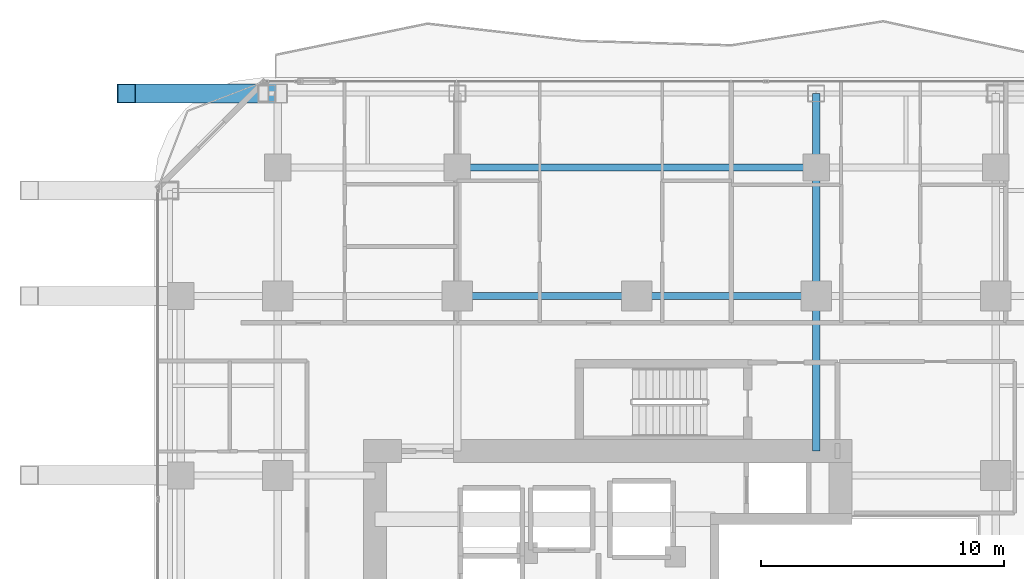
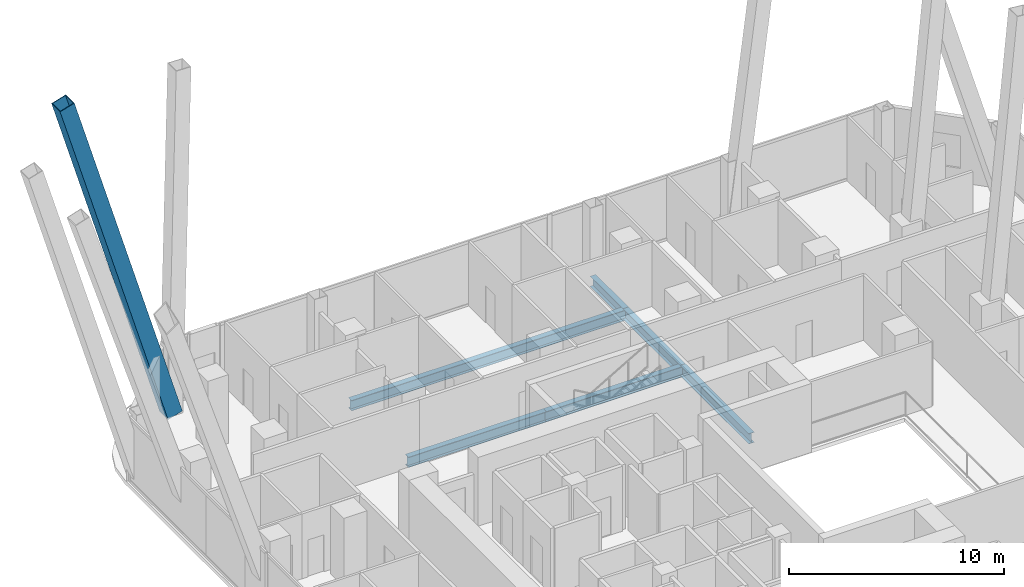
# One storey, part 16 of 32: 6 beams, 1 member.
"""IFC4 building model written with IfcOpenShell, lengths in metres."""

import ifcopenshell
import ifcopenshell.guid

model = None  # the IFC model being written
_history = None  # IfcOwnerHistory: only IFC2X3 demands one
_inside = {}  # id of a spatial element -> (the spatial element, [elements in it])
_under = {}  # id of a project, library or spatial element -> (it, [spatial elements below it])
_declared = {}  # id of a project -> (the project, [libraries it declares])
_typed = {}  # id of a type object -> (the type object, [elements of that type])
_made_of = {}  # id of a material, layer set ... -> (it, [elements and type objects made of it])


def new_model(schema):
    """Start an empty IFC model of exactly this schema.

    Asked for "IFC4X3", IfcOpenShell would pick the latest addendum, in which some entities
    have other attributes; the version numbers below select the first issue.
    IFC2X3 requires an IfcOwnerHistory on every rooted entity: one is made here for all.
    """
    global model, _history
    if schema == "IFC4X3":
        model = ifcopenshell.file(schema_version=(4, 3, 0, 0))
    else:
        model = ifcopenshell.file(schema=schema)
    _inside.clear()
    _under.clear()
    _declared.clear()
    _typed.clear()
    _made_of.clear()
    _history = None
    if model.schema == "IFC2X3":
        org = make("IfcOrganization", Name="unknown")
        user = make(
            "IfcPersonAndOrganization",
            ThePerson=make("IfcPerson", FamilyName="unknown"),
            TheOrganization=org,
        )
        app = make(
            "IfcApplication",
            ApplicationDeveloper=org,
            Version="unknown",
            ApplicationFullName="unknown",
            ApplicationIdentifier="unknown",
        )
        _history = make(
            "IfcOwnerHistory",
            OwningUser=user,
            OwningApplication=app,
            ChangeAction="ADDED",
            CreationDate=0,
        )
    return model


def make(cls, **values):
    """One entity of the class cls with the attributes given. An attribute that is None is left unset."""
    return model.create_entity(
        cls, **{name: value for name, value in values.items() if value is not None}
    )


def rooted(cls, **values):
    """An entity with a GlobalId (a new one), such as an element, a storey or a relation."""
    return make(cls, GlobalId=ifcopenshell.guid.new(), OwnerHistory=_history, **values)


def si_unit(unit_type, name, prefix=None):
    """IfcSIUnit, for example si_unit("LENGTHUNIT", "METRE", prefix="MILLI")."""
    return make("IfcSIUnit", UnitType=unit_type, Prefix=prefix, Name=name)


def assignment(units):
    """IfcUnitAssignment: the units of a project."""
    return None if units is None else make("IfcUnitAssignment", Units=units)


def point(xyz):
    """IfcCartesianPoint."""
    return None if xyz is None else make("IfcCartesianPoint", Coordinates=xyz)


def direction(xyz):
    """IfcDirection."""
    return None if xyz is None else make("IfcDirection", DirectionRatios=xyz)


def frame(location, z_axis=None, x_axis=None):
    """IfcAxis2Placement3D, a coordinate frame: its origin and axes. An axis left out is left unset."""
    return make(
        "IfcAxis2Placement3D",
        Location=point(location),
        Axis=direction(z_axis),
        RefDirection=direction(x_axis),
    )


def frame_2d(location, x_axis=None):
    """IfcAxis2Placement2D, a coordinate frame in the plane: its origin and x axis."""
    return make(
        "IfcAxis2Placement2D", Location=point(location), RefDirection=direction(x_axis)
    )


def origin():
    """The frame at (0, 0, 0) with its axes left unset."""
    return frame((0.0, 0.0, 0.0))


def origin_2d():
    """The frame at (0, 0) in the plane with its x axis left unset."""
    return frame_2d((0.0, 0.0))


def place(relative_to, where):
    """IfcLocalPlacement: puts the frame where relative to a parent placement (None: the world)."""
    return make(
        "IfcLocalPlacement", PlacementRelTo=relative_to, RelativePlacement=where
    )


def context(
    kind, dimensions, precision=None, world=None, true_north=None, identifier=None
):
    """IfcGeometricRepresentationContext, for example the 3D "Model" context."""
    return make(
        "IfcGeometricRepresentationContext",
        ContextIdentifier=identifier,
        ContextType=kind,
        CoordinateSpaceDimension=dimensions,
        Precision=precision,
        WorldCoordinateSystem=world,
        TrueNorth=true_north,
    )


def subcontext(parent, identifier, kind, view, scale=None):
    """IfcGeometricRepresentationSubContext, for example "Body" below "Model"."""
    return make(
        "IfcGeometricRepresentationSubContext",
        ContextIdentifier=identifier,
        ContextType=kind,
        ParentContext=parent,
        TargetScale=scale,
        TargetView=view,
    )


def project(units=None, contexts=None):
    """IfcProject with its units and contexts."""
    return rooted(
        "IfcProject",
        Name="project",
        RepresentationContexts=contexts,
        UnitsInContext=assignment(units),
    )


def spatial(cls, under=None, at=None, **own):
    """A site, building, storey or space (cls), placed at a placement, below another one or the project."""
    s = rooted(cls, ObjectPlacement=at, **own)
    if under is not None:
        _under.setdefault(under.id(), (under, []))[1].append(s)
    return s


def profile(cls, at=None, kind="AREA", **sizes):
    """A parametric profile (cls). Its sizes go by their IFC names, for example OverallWidth=200.0."""
    return make(cls, ProfileType=kind, Position=at, **sizes)


def hollow_rectangle(**sizes):
    """IfcRectangleHollowProfileDef."""
    return profile("IfcRectangleHollowProfileDef", **sizes)


def i_section(**sizes):
    """IfcIShapeProfileDef."""
    return profile("IfcIShapeProfileDef", **sizes)


def extrude(swept, where, along, depth):
    """IfcExtrudedAreaSolid: the profile swept, set in the frame where, extruded along a direction by depth."""
    return make(
        "IfcExtrudedAreaSolid",
        SweptArea=swept,
        Position=where,
        ExtrudedDirection=direction(along),
        Depth=depth,
    )


def shape(context_of_items, identifier, shape_type, items):
    """IfcShapeRepresentation: the items that make up one representation, for example the "Body"."""
    return make(
        "IfcShapeRepresentation",
        ContextOfItems=context_of_items,
        RepresentationIdentifier=identifier,
        RepresentationType=shape_type,
        Items=items,
    )


def material(Name=None, Category=None):
    """IfcMaterial."""
    return make("IfcMaterial", Name=Name, Category=Category)


def material_profile(
    of_material, cross_section, Name=None, Category=None, Priority=None
):
    """IfcMaterialProfile: a cross section and its material."""
    return make(
        "IfcMaterialProfile",
        Name=Name,
        Material=of_material,
        Profile=cross_section,
        Priority=Priority,
        Category=Category,
    )


def profile_set(profiles, Name=None, composite=None):
    """IfcMaterialProfileSet."""
    return make(
        "IfcMaterialProfileSet",
        Name=Name,
        MaterialProfiles=profiles,
        CompositeProfile=composite,
    )


def made_of(thing, what):
    """Note that an element or type object is made of a material, layer set ...; save() writes the relation."""
    if what is not None:
        _made_of.setdefault(what.id(), (what, []))[1].append(thing)
    return thing


def type_object(cls, material=None, **own):
    """A type object (cls), such as IfcWallType, which elements share."""
    return made_of(rooted(cls, **own), material)


def element(
    cls,
    number,
    at=None,
    inside=None,
    cuts=None,
    type_object=None,
    material=None,
    context=None,
    identifier="Body",
    shape_type=None,
    held_by="IfcProductDefinitionShape",
    body=None,
    shapes=None,
    **own,
):
    """One element of the class cls, such as IfcWall. Its Tag is "e" and its number.

    at: its placement. inside: the storey or other place that contains it. cuts: it is an
    opening in that element (IfcRelVoidsElement). A single representation is given by context,
    identifier, shape_type and body (its items); several are given by shapes. held_by: the class
    of the entity that holds the representations. save() writes the other relations.
    """
    e = rooted(cls, Tag="e%d" % number, ObjectPlacement=at, **own)
    if body is not None:
        shapes = [shape(context, identifier, shape_type, body)]
    if shapes is not None:
        e.Representation = make(held_by, Representations=shapes)
    if inside is not None:
        _inside.setdefault(inside.id(), (inside, []))[1].append(e)
    if cuts is not None:
        rooted(
            "IfcRelVoidsElement", RelatingBuildingElement=cuts, RelatedOpeningElement=e
        )
    if type_object is not None:
        _typed.setdefault(type_object.id(), (type_object, []))[1].append(e)
    return made_of(e, material)


def aggregate(whole, parts):
    """IfcRelAggregates: a whole, such as a stair, and the parts it consists of."""
    return rooted("IfcRelAggregates", RelatingObject=whole, RelatedObjects=parts)


def save(model, path):
    """Write the relations noted so far, then the file.

    IfcRelAggregates (storeys below a building ...), IfcRelContainedInSpatialStructure (elements
    in a storey), IfcRelDefinesByType, IfcRelAssociatesMaterial and IfcRelDeclares: one each for
    every whole, place, type object, material and project.
    """
    for whole, parts in _under.values():
        aggregate(whole, parts)
    for where, things in _inside.values():
        rooted(
            "IfcRelContainedInSpatialStructure",
            RelatedElements=things,
            RelatingStructure=where,
        )
    for kind, things in _typed.values():
        rooted("IfcRelDefinesByType", RelatedObjects=things, RelatingType=kind)
    for what, things in _made_of.values():
        rooted("IfcRelAssociatesMaterial", RelatedObjects=things, RelatingMaterial=what)
    for by, libraries in _declared.values():
        rooted("IfcRelDeclares", RelatingContext=by, RelatedDefinitions=libraries)
    model.write(path)


model = new_model("IFC4")

# Units and contexts
model_context = context("Model", 3, precision=1e-05, world=origin(), true_north=direction((0.0, 1.0)))
body_context = subcontext(model_context, "Body", "Model", "MODEL_VIEW")
ifc_project = project(units=[si_unit("LENGTHUNIT", "METRE"), si_unit("AREAUNIT", "SQUARE_METRE"), si_unit("VOLUMEUNIT", "CUBIC_METRE"), si_unit("PLANEANGLEUNIT", "RADIAN"), si_unit("MASSUNIT", "GRAM", prefix="KILO")], contexts=[model_context])

# Site, building, storey
site_placement = place(None, origin())
site = spatial("IfcSite", under=ifc_project, at=site_placement, CompositionType="ELEMENT")
building_placement = place(site_placement, origin())
building = spatial("IfcBuilding", under=site, at=building_placement, Name="Khorvyn Point Tower", CompositionType="ELEMENT")
storey_placement = place(building_placement, frame((0.0, 0.0, 148.5)))
storey = spatial("IfcBuildingStorey", under=building, at=storey_placement, Name="L37", CompositionType="ELEMENT", Elevation=148.5)

# Beams
ifc_material_1 = material(Name="Steel S355", Category="steel")
ifc_material_profile_1 = material_profile(ifc_material_1, i_section(OverallWidth=0.300048828125, OverallDepth=0.587890625, WebThickness=0.011962890625, FlangeThickness=0.02001953125, at=origin_2d()))
ifc_profile_set_1 = profile_set([ifc_material_profile_1], Name="Steel S355 H588x300x12x20")
beam_type = type_object("IfcBeamType", Name="Steel S355 Beam H588x300x12x20", PredefinedType="BEAM", material=ifc_profile_set_1)
for number, where, z_axis, x_axis, name in (
    (1, (-7.39990234375, 14.800048828125, -0.513916015625), (1.0, 0.0, 0.0), (0.0, 1.0, 0.0), "Beam"),
    (2, (0.0, 14.800048828125, -0.513916015625), (1.0, 0.0, 0.0), (0.0, 1.0, 0.0), "Beam"),
):
    element("IfcBeam", number, at=place(storey_placement, frame(where, z_axis=z_axis, x_axis=x_axis)), inside=storey, type_object=beam_type, Name=name, PredefinedType="BEAM", context=body_context, shape_type="SweptSolid", body=[
        extrude(i_section(OverallWidth=0.300048828125, OverallDepth=0.587890625, WebThickness=0.011962890625, FlangeThickness=0.02001953125, at=origin_2d()), origin(), (0.0, 0.0, 1.0), 7.39990234375),
    ])
beam_1_placement = place(storey_placement, frame((-7.39990234375, 20.10009765625, -0.513916015625), z_axis=(1.0, 0.0, 0.0), x_axis=(0.0, 1.0, 0.0)))
element("IfcBeam", 3, at=beam_1_placement, inside=storey, type_object=beam_type, Name="Beam", PredefinedType="BEAM", context=body_context, shape_type="SweptSolid", body=[
    extrude(i_section(OverallWidth=0.300048828125, OverallDepth=0.587890625, WebThickness=0.011962890625, FlangeThickness=0.02001953125, at=origin_2d()), origin(), (0.0, 0.0, 1.0), 14.7998046875),
])
beam_2_placement = place(storey_placement, frame((7.39990234375, 8.39990234375, -0.513916015625), z_axis=(0.0, 1.0, 0.0), x_axis=(-1.0, 0.0, 0.0)))
element("IfcBeam", 4, at=beam_2_placement, inside=storey, type_object=beam_type, Name="Beam", PredefinedType="BEAM", context=body_context, shape_type="SweptSolid", body=[
    extrude(i_section(OverallWidth=0.300048828125, OverallDepth=0.587890625, WebThickness=0.011962890625, FlangeThickness=0.02001953125, at=origin_2d()), origin(), (0.0, 0.0, 1.0), 6.400146484375),
])
beam_3_placement = place(storey_placement, frame((7.39990234375, 14.800048828125, -0.513916015625), z_axis=(0.0, 1.0, 0.0), x_axis=(-1.0, 0.0, 0.0)))
element("IfcBeam", 5, at=beam_3_placement, inside=storey, type_object=beam_type, Name="Beam", PredefinedType="BEAM", context=body_context, shape_type="SweptSolid", body=[
    extrude(i_section(OverallWidth=0.300048828125, OverallDepth=0.587890625, WebThickness=0.011962890625, FlangeThickness=0.02001953125, at=origin_2d()), origin(), (0.0, 0.0, 1.0), 5.300048828125),
])
beam_4_placement = place(storey_placement, frame((7.39990234375, 20.10009765625, -0.513916015625), z_axis=(0.0, 1.0, 0.0), x_axis=(-1.0, 0.0, 0.0)))
element("IfcBeam", 6, at=beam_4_placement, inside=storey, type_object=beam_type, Name="Beam", PredefinedType="BEAM", context=body_context, shape_type="SweptSolid", body=[
    extrude(i_section(OverallWidth=0.300048828125, OverallDepth=0.587890625, WebThickness=0.011962890625, FlangeThickness=0.02001953125, at=origin_2d()), origin(), (0.0, 0.0, 1.0), 3.0498046875),
])

# Member
ifc_material_2 = material(Name="Steel S450", Category="steel")
ifc_material_profile_2 = material_profile(ifc_material_2, hollow_rectangle(XDim=0.800048828125, YDim=0.800048828125, WallThickness=0.035888671875, at=origin_2d()))
ifc_profile_set_2 = profile_set([ifc_material_profile_2], Name="Steel S450 BOX800x800x36")
member_type = type_object("IfcMemberType", Name="Steel S450 Exoskeleton Structural Post BOX800x800x36", PredefinedType="POST", material=ifc_profile_set_2)
member_placement = place(storey_placement, frame((-15.25, 23.14990234375, 0.0), z_axis=(-0.285094530681, 0.0, 0.958499404578), x_axis=(0.0, -1.0, 0.0)))
element("IfcMember", 7, at=member_placement, inside=storey, type_object=member_type, Name="L37 to L41 Exoskeleton Transfer Post 03", PredefinedType="POST", context=body_context, shape_type="SweptSolid", body=[
    extrude(hollow_rectangle(XDim=0.800048828125, YDim=0.800048828125, WallThickness=0.035888671875, at=origin_2d()), origin(), (0.0, 0.0, 1.0), 20.34423828125),
])

save(model, "model.ifc")
